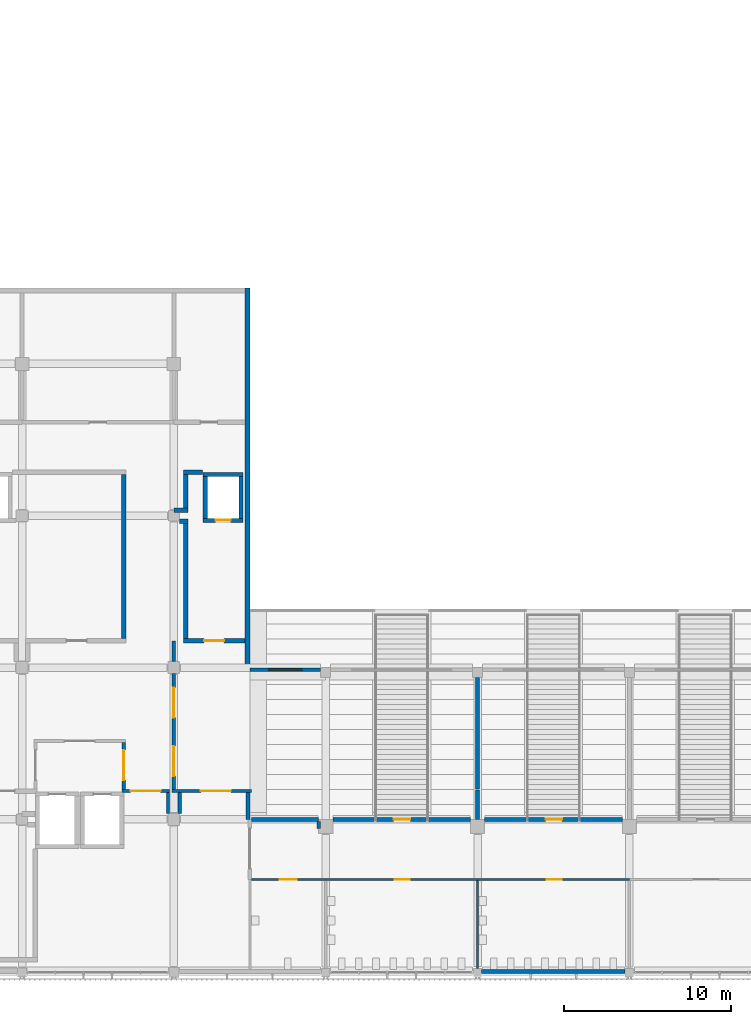
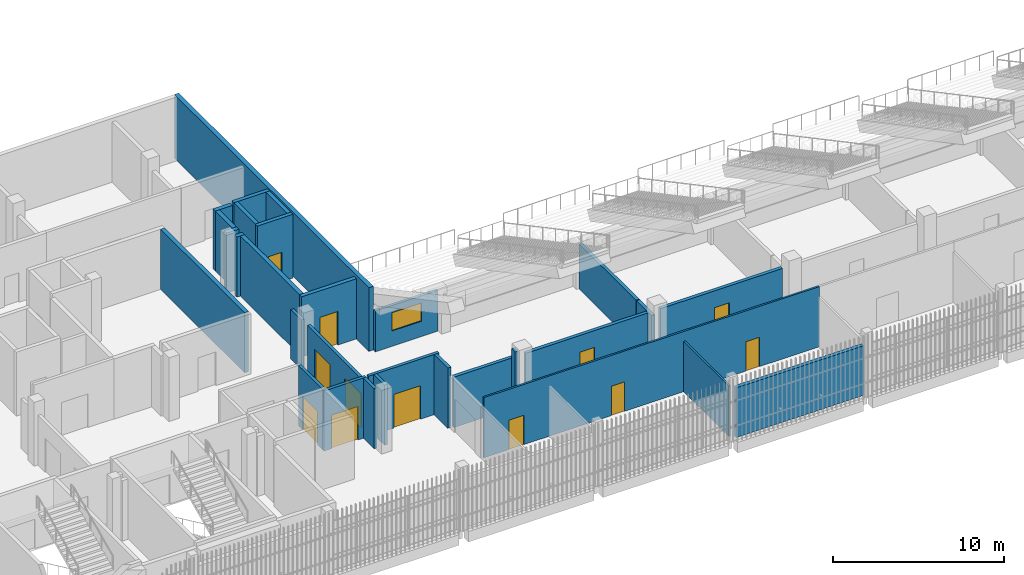
# One storey, part 75 of 139: 30 walls, 12 doors, 1 window, 13 openings.
"""IFC4 building model written with IfcOpenShell, lengths in metres."""

from ifc_helpers import new_model, si_unit, direction, frame, frame_2d, origin, place, context, subcontext, project, spatial, rectangle, extrude, material, layer, layer_set, type_object, element, fill, save


model = new_model("IFC4")

# Units and contexts
model_context = context("Model", 3, precision=1e-05, world=origin(), true_north=direction((0.0, 1.0)))
body_context = subcontext(model_context, "Body", "Model", "MODEL_VIEW")
ifc_project = project(units=[si_unit("LENGTHUNIT", "METRE"), si_unit("AREAUNIT", "SQUARE_METRE"), si_unit("VOLUMEUNIT", "CUBIC_METRE"), si_unit("PLANEANGLEUNIT", "RADIAN"), si_unit("MASSUNIT", "GRAM", prefix="KILO")], contexts=[model_context])

# Site, building, storey
site_placement = place(None, origin())
site = spatial("IfcSite", under=ifc_project, at=site_placement, CompositionType="ELEMENT")
building_placement = place(site_placement, origin())
building = spatial("IfcBuilding", under=site, at=building_placement, Name="Shirokan Park Arena", CompositionType="ELEMENT")
storey_placement = place(building_placement, frame((0.0, 0.0, 15.469970703125)))
storey = spatial("IfcBuildingStorey", under=building, at=storey_placement, Name="L03", CompositionType="ELEMENT", Elevation=15.469970703125)

# Wall, opening, window
ifc_material_1 = material(Name="Cedar timber lining", Category="wood")
ifc_layer_1 = layer(ifc_material_1, 0.02001953125, Name="Cedar timber lining")
ifc_material_2 = material(Name="Plywood", Category="wood")
ifc_layer_2 = layer(ifc_material_2, 0.01806640625, Name="Plywood")
ifc_material_3 = material(Name="Mineral wool insulation")
ifc_layer_3 = layer(ifc_material_3, 0.14208984375, Name="Mineral wool insulation")
ifc_material_4 = material(Name="Gypsum board")
ifc_layer_4 = layer(ifc_material_4, 0.02001953125, Name="Gypsum board")
ifc_layer_set_1 = layer_set([ifc_layer_1, ifc_layer_2, ifc_layer_3, ifc_layer_4], Name="Cedar timber lining + Plywood + Mineral wool insulation + Gypsum board")
wall_type_1 = type_object("IfcWallType", Name="Bowl front wall 200", PredefinedType="PARTITIONING", material=ifc_layer_set_1)
wall_1_placement = place(storey_placement, frame((40.949951171875, 18.070068359375, 0.0), z_axis=(0.0, 0.0, 1.0), x_axis=(1.0, 0.0, 0.0)))
wall_1 = element("IfcWall", 1, at=wall_1_placement, inside=storey, type_object=wall_type_1, Name="Bowl front wall 200 L03", PredefinedType="PARTITIONING", context=body_context, shape_type="SweptSolid", body=[
    extrude(rectangle(XDim=4.25, YDim=0.199951171875, at=frame_2d((2.125, 0.0))), origin(), (0.0, 0.0, 1.0), 2.909912109375),
])
opening_1_placement = place(wall_1_placement, frame((1.125, 0.0, 1.10009765625)))
opening_1 = element("IfcOpeningElement", 2, at=opening_1_placement, cuts=wall_1, Name="Opening W7", PredefinedType="OPENING", context=body_context, shape_type="SweptSolid", body=[
    extrude(rectangle(XDim=2.0, YDim=1.300048828125, at=frame_2d((1.0, 0.64990234375))), frame((0.0, 0.10986328125, 0.0), z_axis=(0.0, -1.0, 0.0), x_axis=(1.0, 0.0, 0.0)), (0.0, 0.0, 1.0), 0.219970703125),
])
ifc_material_5 = material(Name="Aluminium frame with laminated glass", Category="aluminium")
window_type = type_object("IfcWindowType", Name="Suite viewing window 2000 x 1300", PartitioningType="SINGLE_PANEL", PredefinedType="WINDOW", material=ifc_material_5)
window_placement = place(opening_1_placement, origin())
window = element("IfcWindow", 3, at=window_placement, inside=storey, type_object=window_type, Name="Suite viewing window 2000 x 1300 L03", OverallHeight=1.300048828125, OverallWidth=2.0, PartitioningType="SINGLE_PANEL", PredefinedType="WINDOW", context=body_context, shape_type="SweptSolid", body=[
    extrude(rectangle(XDim=2.0, YDim=1.300048828125, at=frame_2d((1.0, 0.64990234375))), frame((0.0, 0.030029296875, 0.0), z_axis=(0.0, -1.0, 0.0), x_axis=(1.0, 0.0, 0.0)), (0.0, 0.0, 1.0), 0.06005859375),
])
fill(opening_1, window)

# Wall, opening, door
ifc_layer_5 = layer(ifc_material_4, 0.02490234375, Name="Gypsum board, two layers")
ifc_layer_6 = layer(ifc_material_3, 0.14990234375, Name="Mineral wool insulation")
ifc_layer_7 = layer(ifc_material_4, 0.02490234375, Name="Gypsum board, two layers")
ifc_layer_set_2 = layer_set([ifc_layer_5, ifc_layer_6, ifc_layer_7], Name="Gypsum board, two layers + Mineral wool insulation")
wall_type_2 = type_object("IfcWallType", Name="Corridor wall 200", PredefinedType="PARTITIONING", material=ifc_layer_set_2)
wall_2_placement = place(storey_placement, frame((33.39990234375, 10.89990234375, 0.0), z_axis=(0.0, 0.0, 1.0), x_axis=(0.0, 1.0, 0.0)))
wall_2 = element("IfcWall", 4, at=wall_2_placement, inside=storey, type_object=wall_type_2, Name="Corridor wall 200 L03", PredefinedType="PARTITIONING", context=body_context, shape_type="SweptSolid", body=[
    extrude(rectangle(XDim=2.800048828125, YDim=0.199951171875, at=frame_2d((1.39990234375, 0.0))), origin(), (0.0, 0.0, 1.0), 4.300048828125),
])
opening_2_placement = place(wall_2_placement, frame((0.550048828125, 0.0, 0.0)))
opening_2 = element("IfcOpeningElement", 5, at=opening_2_placement, cuts=wall_2, Name="Opening D-3089", PredefinedType="OPENING", context=body_context, shape_type="SweptSolid", body=[
    extrude(rectangle(XDim=1.800048828125, YDim=2.39990234375, at=frame_2d((0.89990234375, 1.199951171875))), frame((0.0, 0.10986328125, 0.0), z_axis=(0.0, -1.0, 0.0), x_axis=(1.0, 0.0, 0.0)), (0.0, 0.0, 1.0), 0.219970703125),
])
ifc_material_6 = material(Name="Glazed steel door set, fire resisting", Category="steel")
door_type_1 = type_object("IfcDoorType", Name="Lift lobby door 1800 x 2400", OperationType="DOUBLE_DOOR_SINGLE_SWING", PredefinedType="DOOR", material=ifc_material_6)
door_1_placement = place(opening_2_placement, origin())
door_1 = element("IfcDoor", 6, at=door_1_placement, inside=storey, type_object=door_type_1, Name="Door between Press Foyer 1.3.2 and Lift Lobby 1.3 D-3089", OperationType="DOUBLE_DOOR_SINGLE_SWING", OverallHeight=2.39990234375, OverallWidth=1.800048828125, PredefinedType="DOOR", context=body_context, shape_type="SweptSolid", body=[
    extrude(rectangle(XDim=1.800048828125, YDim=2.39990234375, at=frame_2d((0.89990234375, 1.199951171875))), frame((0.0, 0.02490234375, 0.0), z_axis=(0.0, -1.0, 0.0), x_axis=(1.0, 0.0, 0.0)), (0.0, 0.0, 1.0), 0.050048828125),
])
fill(opening_2, door_1)

# Wall
wall_3_placement = place(storey_placement, frame((36.050048828125, 9.449951171875, 0.0), z_axis=(0.0, 0.0, 1.0), x_axis=(0.0, 1.0, 0.0)))
element("IfcWall", 7, at=wall_3_placement, inside=storey, type_object=wall_type_2, Name="Corridor wall 200 L03", PredefinedType="PARTITIONING", context=body_context, shape_type="SweptSolid", body=[
    extrude(rectangle(XDim=1.25, YDim=0.199951171875, at=frame_2d((0.625, 0.0))), origin(), (0.0, 0.0, 1.0), 4.300048828125),
])

# Wall, opening, door
wall_4_placement = place(storey_placement, frame((36.14990234375, 10.800048828125, 0.0), z_axis=(0.0, 0.0, 1.0), x_axis=(-1.0, 0.0, 0.0)))
wall_4 = element("IfcWall", 8, at=wall_4_placement, inside=storey, type_object=wall_type_2, Name="Corridor wall 200 L03", PredefinedType="PARTITIONING", context=body_context, shape_type="SweptSolid", body=[
    extrude(rectangle(XDim=2.849853515625, YDim=0.199951171875, at=frame_2d((1.4248046875, 0.0))), origin(), (0.0, 0.0, 1.0), 4.300048828125),
])
opening_3_placement = place(wall_4_placement, frame((0.550048828125, 0.0, 0.0)))
opening_3 = element("IfcOpeningElement", 9, at=opening_3_placement, cuts=wall_4, Name="Opening D-3092", PredefinedType="OPENING", context=body_context, shape_type="SweptSolid", body=[
    extrude(rectangle(XDim=1.800048828125, YDim=2.39990234375, at=frame_2d((0.89990234375, 1.199951171875))), frame((0.0, 0.10986328125, 0.0), z_axis=(0.0, -1.0, 0.0), x_axis=(1.0, 0.0, 0.0)), (0.0, 0.0, 1.0), 0.219970703125),
])
door_2_placement = place(opening_3_placement, origin())
door_2 = element("IfcDoor", 10, at=door_2_placement, inside=storey, type_object=door_type_1, Name="Door between Press Foyer 1.3.2 and Ring Link 1.3 D-3092", OperationType="DOUBLE_DOOR_SINGLE_SWING", OverallHeight=2.39990234375, OverallWidth=1.800048828125, PredefinedType="DOOR", context=body_context, shape_type="SweptSolid", body=[
    extrude(rectangle(XDim=1.800048828125, YDim=2.39990234375, at=frame_2d((0.89990234375, 1.199951171875))), frame((0.0, 0.02490234375, 0.0), z_axis=(0.0, -1.0, 0.0), x_axis=(1.0, 0.0, 0.0)), (0.0, 0.0, 1.0), 0.050048828125),
])
fill(opening_3, door_2)

wall_5_placement = place(storey_placement, frame((36.300048828125, 10.800048828125, 0.0), z_axis=(0.0, 0.0, 1.0), x_axis=(1.0, 0.0, 0.0)))
wall_5 = element("IfcWall", 11, at=wall_5_placement, inside=storey, type_object=wall_type_2, Name="Corridor wall 200 L03", PredefinedType="PARTITIONING", context=body_context, shape_type="SweptSolid", body=[
    extrude(rectangle(XDim=4.762451171875, YDim=0.199951171875, at=frame_2d((2.38134765625, 0.0))), origin(), (0.0, 0.0, 1.0), 4.300048828125),
])
opening_4_placement = place(wall_5_placement, frame((1.71240234375, 0.0, 0.0)))
opening_4 = element("IfcOpeningElement", 12, at=opening_4_placement, cuts=wall_5, Name="Opening D-3093", PredefinedType="OPENING", context=body_context, shape_type="SweptSolid", body=[
    extrude(rectangle(XDim=1.800048828125, YDim=2.39990234375, at=frame_2d((0.89990234375, 1.199951171875))), frame((0.0, 0.10986328125, 0.0), z_axis=(0.0, -1.0, 0.0), x_axis=(1.0, 0.0, 0.0)), (0.0, 0.0, 1.0), 0.219970703125),
])
door_3_placement = place(opening_4_placement, origin())
door_3 = element("IfcDoor", 13, at=door_3_placement, inside=storey, type_object=door_type_1, Name="Door between Suite Lobby 1.3.3 and Ring Link 1.3 D-3093", OperationType="DOUBLE_DOOR_SINGLE_SWING", OverallHeight=2.39990234375, OverallWidth=1.800048828125, PredefinedType="DOOR", context=body_context, shape_type="SweptSolid", body=[
    extrude(rectangle(XDim=1.800048828125, YDim=2.39990234375, at=frame_2d((0.89990234375, 1.199951171875))), frame((0.0, 0.02490234375, 0.0), z_axis=(0.0, -1.0, 0.0), x_axis=(1.0, 0.0, 0.0)), (0.0, 0.0, 1.0), 0.050048828125),
])
fill(opening_4, door_3)

# Wall, openings, doors
wall_6_placement = place(storey_placement, frame((36.39990234375, 17.85009765625, 0.0), z_axis=(0.0, 0.0, 1.0), x_axis=(0.0, -1.0, 0.0)))
wall_6 = element("IfcWall", 14, at=wall_6_placement, inside=storey, type_object=wall_type_2, Name="Corridor wall 200 L03", PredefinedType="PARTITIONING", context=body_context, shape_type="SweptSolid", body=[
    extrude(rectangle(XDim=6.9501953125, YDim=0.199951171875, at=frame_2d((3.47509765625, 0.0))), origin(), (0.0, 0.0, 1.0), 3.60009765625),
])
opening_5_placement = place(wall_6_placement, frame((0.85009765625, 0.0, 0.0)))
opening_5 = element("IfcOpeningElement", 15, at=opening_5_placement, cuts=wall_6, Name="Opening D-3086", PredefinedType="OPENING", context=body_context, shape_type="SweptSolid", body=[
    extrude(rectangle(XDim=1.800048828125, YDim=2.39990234375, at=frame_2d((0.89990234375, 1.199951171875))), frame((0.0, 0.10986328125, 0.0), z_axis=(0.0, -1.0, 0.0), x_axis=(1.0, 0.0, 0.0)), (0.0, 0.0, 1.0), 0.219970703125),
])
opening_6_placement = place(wall_6_placement, frame((4.35009765625, 0.0, 0.0)))
opening_6 = element("IfcOpeningElement", 16, at=opening_6_placement, cuts=wall_6, Name="Opening D-3087", PredefinedType="OPENING", context=body_context, shape_type="SweptSolid", body=[
    extrude(rectangle(XDim=1.800048828125, YDim=2.39990234375, at=frame_2d((0.89990234375, 1.199951171875))), frame((0.0, 0.10986328125, 0.0), z_axis=(0.0, -1.0, 0.0), x_axis=(1.0, 0.0, 0.0)), (0.0, 0.0, 1.0), 0.219970703125),
])
door_4_placement = place(opening_5_placement, origin())
door_4 = element("IfcDoor", 17, at=door_4_placement, inside=storey, type_object=door_type_1, Name="Door between Press Foyer 1.3.2 and Suite Lobby 1.3.3 D-3086", OperationType="DOUBLE_DOOR_SINGLE_SWING", OverallHeight=2.39990234375, OverallWidth=1.800048828125, PredefinedType="DOOR", context=body_context, shape_type="SweptSolid", body=[
    extrude(rectangle(XDim=1.800048828125, YDim=2.39990234375, at=frame_2d((0.89990234375, 1.199951171875))), frame((0.0, 0.02490234375, 0.0), z_axis=(0.0, -1.0, 0.0), x_axis=(1.0, 0.0, 0.0)), (0.0, 0.0, 1.0), 0.050048828125),
])
fill(opening_5, door_4)
door_5_placement = place(opening_6_placement, origin())
door_5 = element("IfcDoor", 18, at=door_5_placement, inside=storey, type_object=door_type_1, Name="Door between Press Foyer 1.3.2 and Suite Lobby 1.3.3 D-3087", OperationType="DOUBLE_DOOR_SINGLE_SWING", OverallHeight=2.39990234375, OverallWidth=1.800048828125, PredefinedType="DOOR", context=body_context, shape_type="SweptSolid", body=[
    extrude(rectangle(XDim=1.800048828125, YDim=2.39990234375, at=frame_2d((0.89990234375, 1.199951171875))), frame((0.0, 0.02490234375, 0.0), z_axis=(0.0, -1.0, 0.0), x_axis=(1.0, 0.0, 0.0)), (0.0, 0.0, 1.0), 0.050048828125),
])
fill(opening_6, door_5)

# Walls
wall_7_placement = place(storey_placement, frame((36.39990234375, 19.800048828125, 0.0), z_axis=(0.0, 0.0, 1.0), x_axis=(0.0, -1.0, 0.0)))
element("IfcWall", 19, at=wall_7_placement, inside=storey, type_object=wall_type_2, Name="Corridor wall 200 L03", PredefinedType="PARTITIONING", context=body_context, shape_type="SweptSolid", body=[
    extrude(rectangle(XDim=1.25, YDim=0.199951171875, at=frame_2d((0.625, 0.0))), origin(), (0.0, 0.0, 1.0), 3.550048828125),
])
wall_8_placement = place(storey_placement, frame((36.75, 10.699951171875, 0.0), z_axis=(0.0, 0.0, 1.0), x_axis=(0.0, -1.0, 0.0)))
element("IfcWall", 20, at=wall_8_placement, inside=storey, type_object=wall_type_2, Name="Corridor wall 200 L03", PredefinedType="PARTITIONING", context=body_context, shape_type="SweptSolid", body=[
    extrude(rectangle(XDim=1.25, YDim=0.199951171875, at=frame_2d((0.625, 0.0))), origin(), (0.0, 0.0, 1.0), 4.300048828125),
])
ifc_material_7 = material(Name="Plaster")
ifc_layer_8 = layer(ifc_material_7, 0.012451171875, Name="Plaster")
ifc_material_8 = material(Name="Concrete blockwork", Category="masonry")
ifc_layer_9 = layer(ifc_material_8, 0.25, Name="Concrete blockwork 250")
ifc_layer_10 = layer(ifc_material_7, 0.012451171875, Name="Plaster")
ifc_layer_set_3 = layer_set([ifc_layer_8, ifc_layer_9, ifc_layer_10], Name="Plaster + Concrete blockwork 250")
wall_type_3 = type_object("IfcWallType", Name="Plant room wall 275", PredefinedType="SOLIDWALL", material=ifc_layer_set_3)
wall_9_placement = place(storey_placement, frame((33.39990234375, 29.762451171875, 0.0), z_axis=(0.0, 0.0, 1.0), x_axis=(0.0, -1.0, 0.0)))
element("IfcWall", 21, at=wall_9_placement, inside=storey, type_object=wall_type_3, Name="Plant room wall 275 L03", PredefinedType="SOLIDWALL", context=body_context, shape_type="SweptSolid", body=[
    extrude(rectangle(XDim=9.824951171875, YDim=0.27490234375, at=frame_2d((4.91259765625, 0.0))), origin(), (0.0, 0.0, 1.0), 4.300048828125),
])
wall_10_placement = place(storey_placement, frame((36.39990234375, 27.625, 0.0), z_axis=(0.0, 0.0, 1.0), x_axis=(1.0, 0.0, 0.0)))
element("IfcWall", 22, at=wall_10_placement, inside=storey, type_object=wall_type_3, Name="Plant room wall 275 L03", PredefinedType="SOLIDWALL", context=body_context, shape_type="SweptSolid", body=[
    extrude(rectangle(XDim=0.837646484375, YDim=0.27490234375, at=frame_2d((0.4189453125, 0.0))), origin(), (0.0, 0.0, 1.0), 4.300048828125),
])
wall_11_placement = place(storey_placement, frame((36.72509765625, 26.97509765625, 0.0), z_axis=(0.0, 0.0, 1.0), x_axis=(1.0, 0.0, 0.0)))
element("IfcWall", 23, at=wall_11_placement, inside=storey, type_object=wall_type_3, Name="Plant room wall 275 L03", PredefinedType="SOLIDWALL", context=body_context, shape_type="SweptSolid", body=[
    extrude(rectangle(XDim=0.512451171875, YDim=0.27490234375, at=frame_2d((0.25634765625, 0.0))), origin(), (0.0, 0.0, 1.0), 4.300048828125),
])

# Wall, opening, door
wall_12_placement = place(storey_placement, frame((36.96240234375, 19.800048828125, 0.0), z_axis=(0.0, 0.0, 1.0), x_axis=(1.0, 0.0, 0.0)))
wall_12 = element("IfcWall", 24, at=wall_12_placement, inside=storey, type_object=wall_type_3, Name="Plant room wall 275 L03", PredefinedType="SOLIDWALL", context=body_context, shape_type="SweptSolid", body=[
    extrude(rectangle(XDim=3.6875, YDim=0.27490234375, at=frame_2d((1.84375, 0.0))), origin(), (0.0, 0.0, 1.0), 4.300048828125),
])
opening_7_placement = place(wall_12_placement, frame((1.25, 0.0, 0.0)))
opening_7 = element("IfcOpeningElement", 25, at=opening_7_placement, cuts=wall_12, Name="Opening D-3003", PredefinedType="OPENING", context=body_context, shape_type="SweptSolid", body=[
    extrude(rectangle(XDim=1.199951171875, YDim=2.39990234375, at=frame_2d((0.60009765625, 1.199951171875))), frame((0.0, 0.1474609375, 0.0), z_axis=(0.0, -1.0, 0.0), x_axis=(1.0, 0.0, 0.0)), (0.0, 0.0, 1.0), 0.294921875),
])
ifc_material_9 = material(Name="Louvred steel door set, fire resisting", Category="steel")
door_type_2 = type_object("IfcDoorType", Name="Plant room door 1200 x 2400", OperationType="SINGLE_SWING_LEFT", PredefinedType="DOOR", material=ifc_material_9)
door_6_placement = place(opening_7_placement, origin())
door_6 = element("IfcDoor", 26, at=door_6_placement, inside=storey, type_object=door_type_2, Name="Door to Communications Room 3.19 D-3003", OperationType="SINGLE_SWING_LEFT", OverallHeight=2.39990234375, OverallWidth=1.199951171875, PredefinedType="DOOR", context=body_context, shape_type="SweptSolid", body=[
    extrude(rectangle(XDim=1.199951171875, YDim=2.39990234375, at=frame_2d((0.60009765625, 1.199951171875))), frame((0.0, 0.02490234375, 0.0), z_axis=(0.0, -1.0, 0.0), x_axis=(1.0, 0.0, 0.0)), (0.0, 0.0, 1.0), 0.050048828125),
])
fill(opening_7, door_6)

# Walls
wall_13_placement = place(storey_placement, frame((36.96240234375, 29.89990234375, 0.0), z_axis=(0.0, 0.0, 1.0), x_axis=(1.0, 0.0, 0.0)))
element("IfcWall", 27, at=wall_13_placement, inside=storey, type_object=wall_type_3, Name="Plant room wall 275 L03", PredefinedType="SOLIDWALL", context=body_context, shape_type="SweptSolid", body=[
    extrude(rectangle(XDim=1.15771484375, YDim=0.27490234375, at=frame_2d((0.578857421875, 0.0))), origin(), (0.0, 0.0, 1.0), 4.300048828125),
])
wall_14_placement = place(storey_placement, frame((37.10009765625, 26.83740234375, 0.0), z_axis=(0.0, 0.0, 1.0), x_axis=(0.0, -1.0, 0.0)))
element("IfcWall", 28, at=wall_14_placement, inside=storey, type_object=wall_type_3, Name="Plant room wall 275 L03", PredefinedType="SOLIDWALL", context=body_context, shape_type="SweptSolid", body=[
    extrude(rectangle(XDim=6.89990234375, YDim=0.27490234375, at=frame_2d((3.449951171875, 0.0))), origin(), (0.0, 0.0, 1.0), 4.300048828125),
])
wall_15_placement = place(storey_placement, frame((37.10009765625, 29.762451171875, 0.0), z_axis=(0.0, 0.0, 1.0), x_axis=(0.0, -1.0, 0.0)))
element("IfcWall", 29, at=wall_15_placement, inside=storey, type_object=wall_type_3, Name="Plant room wall 275 L03", PredefinedType="SOLIDWALL", context=body_context, shape_type="SweptSolid", body=[
    extrude(rectangle(XDim=2.0, YDim=0.27490234375, at=frame_2d((1.0, 0.0))), origin(), (0.0, 0.0, 1.0), 4.300048828125),
])
ifc_material_10 = material(Name="Concrete C40/50 precast", Category="concrete")
ifc_layer_11 = layer(ifc_material_10, 0.10009765625, Name="Concrete C40/50 precast")
ifc_layer_12 = layer(ifc_material_3, 0.10009765625, Name="Mineral wool insulation")
ifc_material_11 = material(Name="Gypsum board lining")
ifc_layer_13 = layer(ifc_material_11, 0.050048828125, Name="Gypsum board lining")
ifc_layer_set_4 = layer_set([ifc_layer_11, ifc_layer_12, ifc_layer_13], Name="Concrete C40/50 precast + Mineral wool insulation + Gypsum board lining")
wall_type_4 = type_object("IfcWallType", Name="Precast concrete panel wall 250", PredefinedType="SOLIDWALL", material=ifc_layer_set_4)
wall_16_placement = place(storey_placement, frame((54.85009765625, -0.02490234375, 0.0), z_axis=(0.0, 0.0, 1.0), x_axis=(1.0, 0.0, 0.0)))
element("IfcWall", 30, at=wall_16_placement, inside=storey, type_object=wall_type_4, Name="South facade wall bay 7 L03", PredefinedType="SOLIDWALL", context=body_context, shape_type="SweptSolid", body=[
    extrude(rectangle(XDim=8.599853515625, YDim=0.25, at=frame_2d((4.2998046875, 0.0))), origin(), (0.0, 0.0, 1.0), 3.550048828125),
])
ifc_material_12 = material(Name="Concrete C35", Category="concrete")
ifc_layer_14 = layer(ifc_material_12, 0.300048828125)
ifc_layer_set_5 = layer_set([ifc_layer_14], Name="Concrete C35 300 mm")
wall_type_5 = type_object("IfcWallType", Name="RC flank wall 300", PredefinedType="SHEAR", material=ifc_layer_set_5)
wall_17_placement = place(storey_placement, frame((40.800048828125, 40.949951171875, 0.0), z_axis=(0.0, 0.0, 1.0), x_axis=(0.0, -1.0, 0.0)))
element("IfcWall", 31, at=wall_17_placement, inside=storey, type_object=wall_type_5, Name="Flank wall S1 L03", PredefinedType="SHEAR", context=body_context, shape_type="SweptSolid", body=[
    extrude(rectangle(XDim=22.75, YDim=0.300048828125, at=frame_2d((11.375, 0.0))), origin(), (0.0, 0.0, 1.0), 4.550048828125),
])

# Wall, opening, door
ifc_material_13 = material(Name="Concrete C40/50", Category="concrete")
ifc_layer_15 = layer(ifc_material_13, 0.25)
ifc_layer_set_6 = layer_set([ifc_layer_15], Name="Concrete C40/50 250 mm")
wall_type_6 = type_object("IfcWallType", Name="RC shear wall 250", PredefinedType="SHEAR", material=ifc_layer_set_6)
wall_18_placement = place(storey_placement, frame((40.550048828125, 27.02490234375, 0.0), z_axis=(0.0, 0.0, 1.0), x_axis=(-1.0, 0.0, 0.0)))
wall_18 = element("IfcWall", 32, at=wall_18_placement, inside=storey, type_object=wall_type_6, Name="Shaft wall Services Riser 1.1 S L03", PredefinedType="SHEAR", context=body_context, shape_type="SweptSolid", body=[
    extrude(rectangle(XDim=2.400146484375, YDim=0.25, at=frame_2d((1.2001953125, 0.0))), origin(), (0.0, 0.0, 1.0), 4.550048828125),
])
opening_8_placement = place(wall_18_placement, frame((0.75, 0.0, 0.0)))
opening_8 = element("IfcOpeningElement", 33, at=opening_8_placement, cuts=wall_18, Name="Opening D-3138", PredefinedType="OPENING", context=body_context, shape_type="SweptSolid", body=[
    extrude(rectangle(XDim=0.89990234375, YDim=2.10009765625, at=frame_2d((0.449951171875, 1.050048828125))), frame((0.0, 0.135009765625, 0.0), z_axis=(0.0, -1.0, 0.0), x_axis=(1.0, 0.0, 0.0)), (0.0, 0.0, 1.0), 0.27001953125),
])
ifc_material_14 = material(Name="Steel door set, fire resisting", Category="steel")
door_type_3 = type_object("IfcDoorType", Name="Electrical riser door 900 x 2100", OperationType="SINGLE_SWING_LEFT", PredefinedType="DOOR", material=ifc_material_14)
door_7_placement = place(opening_8_placement, origin())
door_7 = element("IfcDoor", 34, at=door_7_placement, inside=storey, type_object=door_type_3, Name="Riser access door Services Riser 1.1 D-3138", OperationType="SINGLE_SWING_RIGHT", OverallHeight=2.10009765625, OverallWidth=0.89990234375, PredefinedType="DOOR", context=body_context, shape_type="SweptSolid", body=[
    extrude(rectangle(XDim=0.89990234375, YDim=2.10009765625, at=frame_2d((0.449951171875, 1.050048828125))), frame((0.0, 0.02490234375, 0.0), z_axis=(0.0, -1.0, 0.0), x_axis=(1.0, 0.0, 0.0)), (0.0, 0.0, 1.0), 0.050048828125),
])
fill(opening_8, door_7)

# Walls
wall_19_placement = place(storey_placement, frame((40.550048828125, 29.77490234375, 0.0), z_axis=(0.0, 0.0, 1.0), x_axis=(-1.0, 0.0, 0.0)))
element("IfcWall", 35, at=wall_19_placement, inside=storey, type_object=wall_type_6, Name="Shaft wall Services Riser 1.1 N L03", PredefinedType="SHEAR", context=body_context, shape_type="SweptSolid", body=[
    extrude(rectangle(XDim=2.400146484375, YDim=0.25, at=frame_2d((1.2001953125, 0.0))), origin(), (0.0, 0.0, 1.0), 4.550048828125),
])
for number, where, z_axis, x_axis, name in (
    (36, (38.27490234375, 29.64990234375, 0.0), (0.0, 0.0, 1.0), (0.0, -1.0, 0.0), "Shaft wall Services Riser 1.1 W L03"),
    (37, (40.425048828125, 29.64990234375, 0.0), (0.0, 0.0, 1.0), (0.0, -1.0, 0.0), "Shaft wall Services Riser 1.1 E L03"),
):
    element("IfcWall", number, at=place(storey_placement, frame(where, z_axis=z_axis, x_axis=x_axis)), inside=storey, type_object=wall_type_6, Name=name, PredefinedType="SHEAR", context=body_context, shape_type="SweptSolid", body=[
        extrude(rectangle(XDim=2.5, YDim=0.25, at=frame_2d((1.25, 0.0))), origin(), (0.0, 0.0, 1.0), 4.550048828125),
    ])
ifc_layer_16 = layer(ifc_material_4, 0.02490234375, Name="Gypsum board, two layers")
ifc_layer_17 = layer(ifc_material_3, 0.074951171875, Name="Mineral wool insulation")
ifc_material_15 = material(Name="Air cavity")
ifc_layer_18 = layer(ifc_material_15, 0.02490234375, Name="Air cavity")
ifc_layer_19 = layer(ifc_material_3, 0.074951171875, Name="Mineral wool insulation")
ifc_layer_20 = layer(ifc_material_4, 0.02490234375, Name="Gypsum board, two layers")
ifc_layer_set_7 = layer_set([ifc_layer_16, ifc_layer_17, ifc_layer_18, ifc_layer_19, ifc_layer_20], Name="Gypsum board, two layers + Mineral wool insulation + Air cavity")
wall_type_7 = type_object("IfcWallType", Name="Suite party wall 225", PredefinedType="PARTITIONING", material=ifc_layer_set_7)
wall_20_placement = place(storey_placement, frame((40.83642578125, 10.699951171875, 0.0), z_axis=(0.0, 0.0, 1.0), x_axis=(0.0, -1.0, 0.0)))
element("IfcWall", 38, at=wall_20_placement, inside=storey, type_object=wall_type_7, Name="Suite party wall 225 L03", PredefinedType="PARTITIONING", context=body_context, shape_type="SweptSolid", body=[
    extrude(rectangle(XDim=1.599853515625, YDim=0.22509765625, at=frame_2d((0.7998046875, 0.0))), origin(), (0.0, 0.0, 1.0), 4.300048828125),
])
wall_21_placement = place(storey_placement, frame((41.0625, 9.10009765625, 0.0), z_axis=(0.0, 0.0, 1.0), x_axis=(1.0, 0.0, 0.0)))
element("IfcWall", 39, at=wall_21_placement, inside=storey, type_object=wall_type_7, Name="Suite party wall 225 L03", PredefinedType="PARTITIONING", context=body_context, shape_type="SweptSolid", body=[
    extrude(rectangle(XDim=4.012451171875, YDim=0.22509765625, at=frame_2d((2.00634765625, 0.0))), origin(), (0.0, 0.0, 1.0), 3.60009765625),
])
wall_22_placement = place(storey_placement, frame((45.074951171875, 8.97509765625, 0.0), z_axis=(0.0, 0.0, 1.0), x_axis=(0.0, -1.0, 0.0)))
element("IfcWall", 40, at=wall_22_placement, inside=storey, type_object=wall_type_7, Name="Suite party wall 225 L03", PredefinedType="PARTITIONING", context=body_context, shape_type="SweptSolid", body=[
    extrude(rectangle(XDim=0.425048828125, YDim=0.22509765625, at=frame_2d((0.21240234375, 0.0))), origin(), (0.0, 0.0, 1.0), 4.300048828125),
])

# Wall, opening, door
wall_23_placement = place(storey_placement, frame((45.925048828125, 9.10009765625, 0.0), z_axis=(0.0, 0.0, 1.0), x_axis=(1.0, 0.0, 0.0)))
wall_23 = element("IfcWall", 41, at=wall_23_placement, inside=storey, type_object=wall_type_7, Name="Suite party wall 225 L03", PredefinedType="PARTITIONING", context=body_context, shape_type="SweptSolid", body=[
    extrude(rectangle(XDim=8.25, YDim=0.22509765625, at=frame_2d((4.125, 0.0))), origin(), (0.0, 0.0, 1.0), 3.60009765625),
])
opening_9_placement = place(wall_23_placement, frame((3.64990234375, 0.0, 0.0)))
opening_9 = element("IfcOpeningElement", 42, at=opening_9_placement, cuts=wall_23, Name="Opening D-3069", PredefinedType="OPENING", context=body_context, shape_type="SweptSolid", body=[
    extrude(rectangle(XDim=1.0, YDim=2.39990234375, at=frame_2d((0.5, 1.199951171875))), frame((0.0, 0.12255859375, 0.0), z_axis=(0.0, -1.0, 0.0), x_axis=(1.0, 0.0, 0.0)), (0.0, 0.0, 1.0), 0.2451171875),
])
ifc_material_16 = material(Name="Glazed timber door set, fire resisting", Category="wood")
door_type_4 = type_object("IfcDoorType", Name="Suite door 1000 x 2400", OperationType="SINGLE_SWING_LEFT", PredefinedType="DOOR", material=ifc_material_16)
door_8_placement = place(opening_9_placement, origin())
door_8 = element("IfcDoor", 43, at=door_8_placement, inside=storey, type_object=door_type_4, Name="Door to Hospitality Suite 3.11 D-3069", OperationType="SINGLE_SWING_LEFT", OverallHeight=2.39990234375, OverallWidth=1.0, PredefinedType="DOOR", context=body_context, shape_type="SweptSolid", body=[
    extrude(rectangle(XDim=1.0, YDim=2.39990234375, at=frame_2d((0.5, 1.199951171875))), frame((0.0, 0.02490234375, 0.0), z_axis=(0.0, -1.0, 0.0), x_axis=(1.0, 0.0, 0.0)), (0.0, 0.0, 1.0), 0.050048828125),
])
fill(opening_9, door_8)

# Walls
wall_24_placement = place(storey_placement, frame((54.60009765625, 10.8701171875, 0.0), z_axis=(0.0, 0.0, 1.0), x_axis=(0.0, -1.0, 0.0)))
element("IfcWall", 44, at=wall_24_placement, inside=storey, type_object=wall_type_7, Name="Suite party wall 225 L03", PredefinedType="PARTITIONING", context=body_context, shape_type="SweptSolid", body=[
    extrude(rectangle(XDim=1.77001953125, YDim=0.22509765625, at=frame_2d((0.885009765625, 0.0))), origin(), (0.0, 0.0, 1.0), 3.219970703125),
])
wall_25_placement = place(storey_placement, frame((54.60009765625, 17.60009765625, 0.0), z_axis=(0.0, 0.0, 1.0), x_axis=(0.0, -1.0, 0.0)))
element("IfcWall", 45, at=wall_25_placement, inside=storey, type_object=wall_type_7, Name="Suite party wall 225 L03", PredefinedType="PARTITIONING", context=body_context, shape_type="SweptSolid", body=[
    extrude(rectangle(XDim=6.670166015625, YDim=0.22509765625, at=frame_2d((3.3349609375, 0.0))), origin(), (0.0, 0.0, 1.0), 3.219970703125),
])

# Wall, opening, door
wall_26_placement = place(storey_placement, frame((55.02490234375, 9.10009765625, 0.0), z_axis=(0.0, 0.0, 1.0), x_axis=(1.0, 0.0, 0.0)))
wall_26 = element("IfcWall", 46, at=wall_26_placement, inside=storey, type_object=wall_type_7, Name="Suite party wall 225 L03", PredefinedType="PARTITIONING", context=body_context, shape_type="SweptSolid", body=[
    extrude(rectangle(XDim=8.25, YDim=0.22509765625, at=frame_2d((4.125, 0.0))), origin(), (0.0, 0.0, 1.0), 3.60009765625),
])
opening_10_placement = place(wall_26_placement, frame((3.64990234375, 0.0, 0.0)))
opening_10 = element("IfcOpeningElement", 47, at=opening_10_placement, cuts=wall_26, Name="Opening D-3070", PredefinedType="OPENING", context=body_context, shape_type="SweptSolid", body=[
    extrude(rectangle(XDim=1.0, YDim=2.39990234375, at=frame_2d((0.5, 1.199951171875))), frame((0.0, 0.12255859375, 0.0), z_axis=(0.0, -1.0, 0.0), x_axis=(1.0, 0.0, 0.0)), (0.0, 0.0, 1.0), 0.2451171875),
])
door_9_placement = place(opening_10_placement, origin())
door_9 = element("IfcDoor", 48, at=door_9_placement, inside=storey, type_object=door_type_4, Name="Door to Hospitality Suite 3.12 D-3070", OperationType="SINGLE_SWING_LEFT", OverallHeight=2.39990234375, OverallWidth=1.0, PredefinedType="DOOR", context=body_context, shape_type="SweptSolid", body=[
    extrude(rectangle(XDim=1.0, YDim=2.39990234375, at=frame_2d((0.5, 1.199951171875))), frame((0.0, 0.02490234375, 0.0), z_axis=(0.0, -1.0, 0.0), x_axis=(1.0, 0.0, 0.0)), (0.0, 0.0, 1.0), 0.050048828125),
])
fill(opening_10, door_9)

# Wall, openings, doors
ifc_material_17 = material(Name="Ceramic tile")
ifc_layer_21 = layer(ifc_material_17, 0.010009765625, Name="Ceramic tile")
ifc_material_18 = material(Name="Cement board")
ifc_layer_22 = layer(ifc_material_18, 0.012451171875, Name="Cement board")
ifc_layer_23 = layer(ifc_material_3, 0.080078125, Name="Mineral wool insulation")
ifc_layer_24 = layer(ifc_material_18, 0.012451171875, Name="Cement board")
ifc_layer_25 = layer(ifc_material_17, 0.010009765625, Name="Ceramic tile")
ifc_layer_set_8 = layer_set([ifc_layer_21, ifc_layer_22, ifc_layer_23, ifc_layer_24, ifc_layer_25], Name="Ceramic tile + Cement board + Mineral wool insulation")
wall_type_8 = type_object("IfcWallType", Name="Wet-area wall 125", PredefinedType="PARTITIONING", material=ifc_layer_set_8)
wall_27_placement = place(storey_placement, frame((41.050048828125, 5.5, 0.0), z_axis=(0.0, 0.0, 1.0), x_axis=(1.0, 0.0, 0.0)))
wall_27 = element("IfcWall", 49, at=wall_27_placement, inside=storey, type_object=wall_type_8, Name="Wet-area wall 125 L03", PredefinedType="PARTITIONING", context=body_context, shape_type="SweptSolid", body=[
    extrude(rectangle(XDim=22.64990234375, YDim=0.125, at=frame_2d((11.324951171875, 0.0))), origin(), (0.0, 0.0, 1.0), 4.300048828125),
])
opening_11_placement = place(wall_27_placement, frame((1.699951171875, 0.0, 0.0)))
opening_11 = element("IfcOpeningElement", 50, at=opening_11_placement, cuts=wall_27, Name="Opening D-3061", PredefinedType="OPENING", context=body_context, shape_type="SweptSolid", body=[
    extrude(rectangle(XDim=1.0, YDim=2.10009765625, at=frame_2d((0.5, 1.050048828125))), frame((0.0, 0.072509765625, 0.0), z_axis=(0.0, -1.0, 0.0), x_axis=(1.0, 0.0, 0.0)), (0.0, 0.0, 1.0), 0.14501953125),
])
opening_12_placement = place(wall_27_placement, frame((8.60009765625, 0.0, 0.0)))
opening_12 = element("IfcOpeningElement", 51, at=opening_12_placement, cuts=wall_27, Name="Opening D-3062", PredefinedType="OPENING", context=body_context, shape_type="SweptSolid", body=[
    extrude(rectangle(XDim=0.89990234375, YDim=2.10009765625, at=frame_2d((0.449951171875, 1.050048828125))), frame((0.0, 0.072509765625, 0.0), z_axis=(0.0, -1.0, 0.0), x_axis=(1.0, 0.0, 0.0)), (0.0, 0.0, 1.0), 0.14501953125),
])
opening_13_placement = place(wall_27_placement, frame((17.699951171875, 0.0, 0.0)))
opening_13 = element("IfcOpeningElement", 52, at=opening_13_placement, cuts=wall_27, Name="Opening D-3063", PredefinedType="OPENING", context=body_context, shape_type="SweptSolid", body=[
    extrude(rectangle(XDim=0.89990234375, YDim=2.10009765625, at=frame_2d((0.449951171875, 1.050048828125))), frame((0.0, 0.072509765625, 0.0), z_axis=(0.0, -1.0, 0.0), x_axis=(1.0, 0.0, 0.0)), (0.0, 0.0, 1.0), 0.14501953125),
])
ifc_material_19 = material(Name="Timber door set, fire resisting", Category="wood")
door_type_5 = type_object("IfcDoorType", Name="Accessible WC door 1000 x 2100", OperationType="SINGLE_SWING_RIGHT", PredefinedType="DOOR", material=ifc_material_19)
door_10_placement = place(opening_11_placement, origin())
door_10 = element("IfcDoor", 53, at=door_10_placement, inside=storey, type_object=door_type_5, Name="Door to Accessible WC 3.11 D-3061", OperationType="SINGLE_SWING_LEFT", OverallHeight=2.10009765625, OverallWidth=1.0, PredefinedType="DOOR", context=body_context, shape_type="SweptSolid", body=[
    extrude(rectangle(XDim=1.0, YDim=2.10009765625, at=frame_2d((0.5, 1.050048828125))), frame((0.0, 0.02490234375, 0.0), z_axis=(0.0, -1.0, 0.0), x_axis=(1.0, 0.0, 0.0)), (0.0, 0.0, 1.0), 0.050048828125),
])
fill(opening_11, door_10)
door_type_6 = type_object("IfcDoorType", Name="Door 900 x 2100", OperationType="SINGLE_SWING_LEFT", PredefinedType="DOOR", material=ifc_material_19)
door_11_placement = place(opening_12_placement, origin())
door_11 = element("IfcDoor", 54, at=door_11_placement, inside=storey, type_object=door_type_6, Name="Door to Men's WC 3.12 D-3062", OperationType="SINGLE_SWING_RIGHT", OverallHeight=2.10009765625, OverallWidth=0.89990234375, PredefinedType="DOOR", context=body_context, shape_type="SweptSolid", body=[
    extrude(rectangle(XDim=0.89990234375, YDim=2.10009765625, at=frame_2d((0.449951171875, 1.050048828125))), frame((0.0, 0.02490234375, 0.0), z_axis=(0.0, -1.0, 0.0), x_axis=(1.0, 0.0, 0.0)), (0.0, 0.0, 1.0), 0.050048828125),
])
fill(opening_12, door_11)
door_12_placement = place(opening_13_placement, origin())
door_12 = element("IfcDoor", 55, at=door_12_placement, inside=storey, type_object=door_type_6, Name="Door to Women's WC 3.13 D-3063", OperationType="SINGLE_SWING_RIGHT", OverallHeight=2.10009765625, OverallWidth=0.89990234375, PredefinedType="DOOR", context=body_context, shape_type="SweptSolid", body=[
    extrude(rectangle(XDim=0.89990234375, YDim=2.10009765625, at=frame_2d((0.449951171875, 1.050048828125))), frame((0.0, 0.02490234375, 0.0), z_axis=(0.0, -1.0, 0.0), x_axis=(1.0, 0.0, 0.0)), (0.0, 0.0, 1.0), 0.050048828125),
])
fill(opening_13, door_12)

# Wall
wall_28_placement = place(storey_placement, frame((54.60009765625, 5.4375, 0.0), z_axis=(0.0, 0.0, 1.0), x_axis=(0.0, -1.0, 0.0)))
element("IfcWall", 56, at=wall_28_placement, inside=storey, type_object=wall_type_8, Name="Wet-area wall 125 L03", PredefinedType="PARTITIONING", context=body_context, shape_type="SweptSolid", body=[
    extrude(rectangle(XDim=5.262451171875, YDim=0.125, at=frame_2d((2.63134765625, 0.0))), origin(), (0.0, 0.0, 1.0), 3.60009765625),
])

save(model, "model.ifc")
